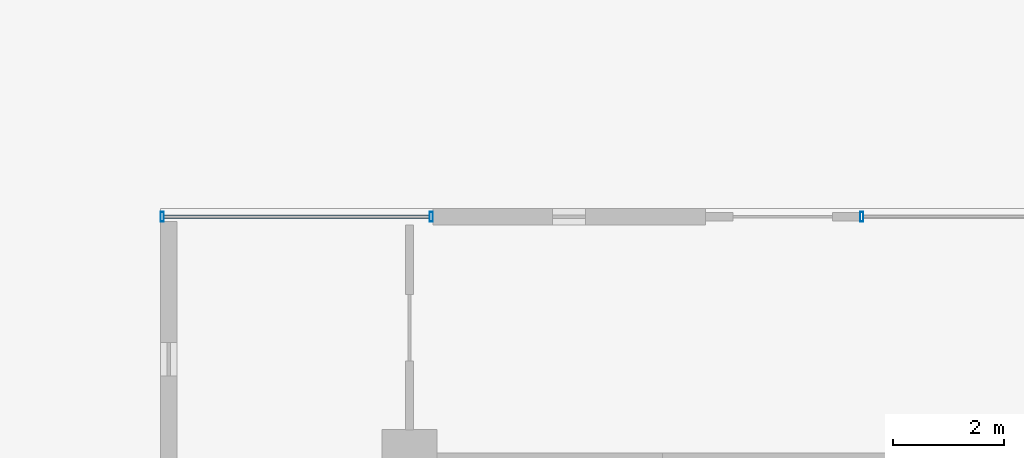
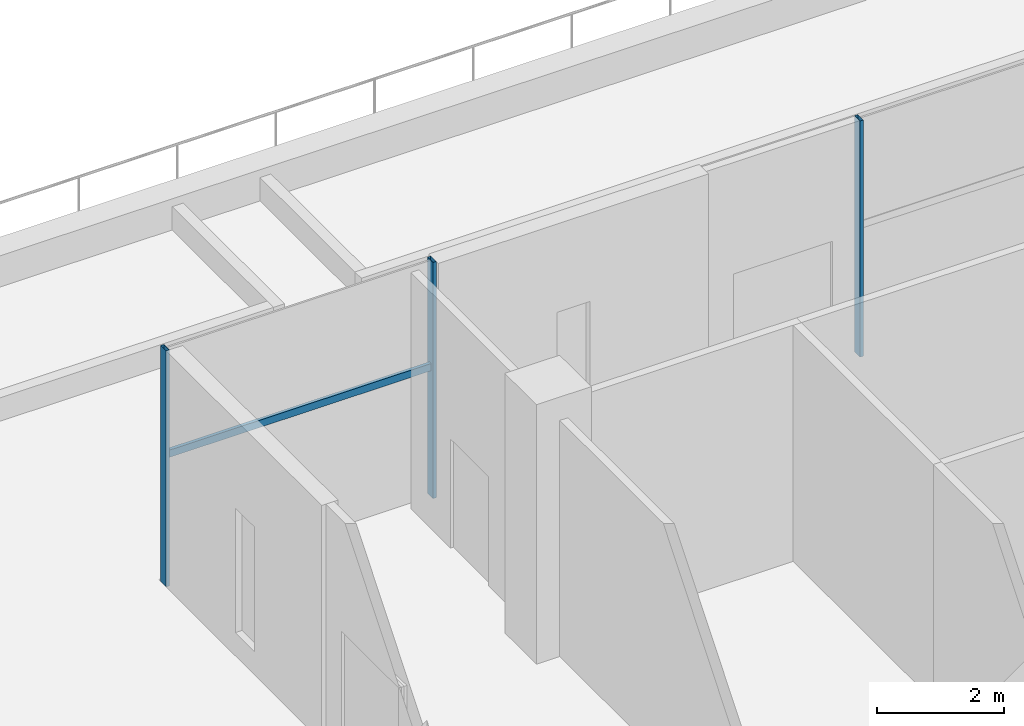
# One storey, part 17 of 49: 4 members, 2 elements without a shape of their own.
"""IFC4 building model written with IfcOpenShell, lengths in metres."""

from ifc_helpers import new_model, si_unit, direction, frame, origin, origin_2d, place, context, subcontext, project, spatial, hollow_rectangle, extrude, material, material_profile, profile_set, type_object, element, aggregate, save


model = new_model("IFC4")

# Units and contexts
model_context = context("Model", 3, precision=1e-05, world=origin(), true_north=direction((0.0, 1.0)))
body_context = subcontext(model_context, "Body", "Model", "MODEL_VIEW")
ifc_project = project(units=[si_unit("LENGTHUNIT", "METRE"), si_unit("AREAUNIT", "SQUARE_METRE"), si_unit("VOLUMEUNIT", "CUBIC_METRE"), si_unit("PLANEANGLEUNIT", "RADIAN"), si_unit("MASSUNIT", "GRAM", prefix="KILO")], contexts=[model_context])

# Site, building, storey
site_placement = place(None, origin())
site = spatial("IfcSite", under=ifc_project, at=site_placement, CompositionType="ELEMENT")
building_placement = place(site_placement, origin())
building = spatial("IfcBuilding", under=site, at=building_placement, Name="Altepetl Exchange Towers", CompositionType="ELEMENT")
storey_placement = place(building_placement, frame((0.0, 0.0, 11.5)))
storey = spatial("IfcBuildingStorey", under=building, at=storey_placement, Name="L02 Exchange podium", CompositionType="ELEMENT", Elevation=11.5)

# Curtain wall, member
ifc_material_1 = material(Name="Aluminium 6063-T6 glazing", Category="aluminium")
curtain_wall_type = type_object("IfcCurtainWallType", Name="Podium storefront system", PredefinedType="NOTDEFINED", material=ifc_material_1)
curtain_wall_1_placement = place(storey_placement, origin())
curtain_wall_1 = element("IfcCurtainWall", 1, at=curtain_wall_1_placement, inside=storey, type_object=curtain_wall_type, Name="CW5 run", PredefinedType="NOTDEFINED")
ifc_material_2 = material(Name="Aluminium 6063-T6", Category="aluminium")
ifc_material_profile_1 = material_profile(ifc_material_2, hollow_rectangle(XDim=0.06005859375, YDim=0.175048828125, WallThickness=0.0029296875, at=origin_2d()), Name="Mullion 60x175 aluminium")
ifc_profile_set_1 = profile_set([ifc_material_profile_1], Name="Aluminium 6063-T6")
member_type_1 = type_object("IfcMemberType", Name="Mullion 60x175 aluminium", PredefinedType="MULLION", material=ifc_profile_set_1)
member_1_placement = place(storey_placement, frame((30.679931640625, 80.85009765625, 0.0), z_axis=(0.0, 0.0, 1.0), x_axis=(-1.0, 0.0, 0.0)))
member_1 = element("IfcMember", 2, at=member_1_placement, type_object=member_type_1, Name="MU4 mullion", PredefinedType="MULLION", context=body_context, shape_type="SweptSolid", body=[
    extrude(hollow_rectangle(XDim=0.06005859375, YDim=0.175048828125, WallThickness=0.0029296875, at=origin_2d()), origin(), (0.0, 0.0, 1.0), 4.550048828125),
])
aggregate(curtain_wall_1, [member_1])

# Curtain wall, members
curtain_wall_2_placement = place(storey_placement, origin())
curtain_wall_2 = element("IfcCurtainWall", 3, at=curtain_wall_2_placement, inside=storey, type_object=curtain_wall_type, Name="CW5 run", PredefinedType="NOTDEFINED")
member_2_placement = place(storey_placement, frame((22.89501953125, 80.85009765625, 0.0), z_axis=(0.0, 0.0, 1.0), x_axis=(-1.0, 0.0, 0.0)))
member_2 = element("IfcMember", 4, at=member_2_placement, type_object=member_type_1, Name="MU4 mullion", PredefinedType="MULLION", context=body_context, shape_type="SweptSolid", body=[
    extrude(hollow_rectangle(XDim=0.06005859375, YDim=0.175048828125, WallThickness=0.0029296875, at=origin_2d()), origin(), (0.0, 0.0, 1.0), 4.550048828125),
])
member_3_placement = place(storey_placement, frame((18.030029296875, 80.85009765625, 0.0), z_axis=(0.0, 0.0, 1.0), x_axis=(-1.0, 0.0, 0.0)))
member_3 = element("IfcMember", 5, at=member_3_placement, type_object=member_type_1, Name="MU4 mullion", PredefinedType="MULLION", context=body_context, shape_type="SweptSolid", body=[
    extrude(hollow_rectangle(XDim=0.06005859375, YDim=0.175048828125, WallThickness=0.0029296875, at=origin_2d()), origin(), (0.0, 0.0, 1.0), 4.550048828125),
])
ifc_material_profile_2 = material_profile(ifc_material_2, hollow_rectangle(XDim=0.06005859375, YDim=0.139892578125, WallThickness=0.0029296875, at=origin_2d()), Name="Transom 60x140 aluminium")
ifc_profile_set_2 = profile_set([ifc_material_profile_2], Name="Aluminium 6063-T6")
member_type_2 = type_object("IfcMemberType", Name="Transom 60x140 aluminium", PredefinedType="USERDEFINED", material=ifc_profile_set_2)
member_4_placement = place(storey_placement, frame((22.864990234375, 80.85009765625, 2.5), z_axis=(-1.0, 0.0, 0.0), x_axis=(0.0, -1.0, 0.0)))
member_4 = element("IfcMember", 6, at=member_4_placement, type_object=member_type_2, Name="TR3 transom", ObjectType="TRANSOM", PredefinedType="USERDEFINED", context=body_context, shape_type="SweptSolid", body=[
    extrude(hollow_rectangle(XDim=0.06005859375, YDim=0.139892578125, WallThickness=0.0029296875, at=origin_2d()), origin(), (0.0, 0.0, 1.0), 4.804931640625),
])
aggregate(curtain_wall_2, [member_2, member_3, member_4])

save(model, "model.ifc")
